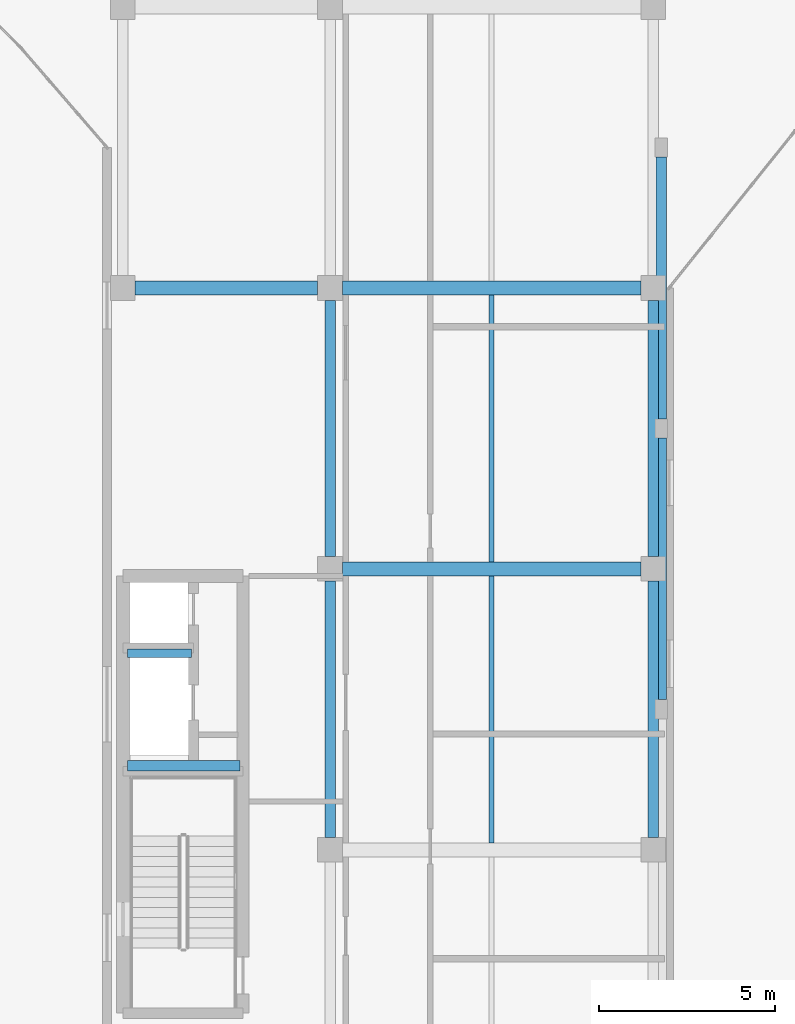
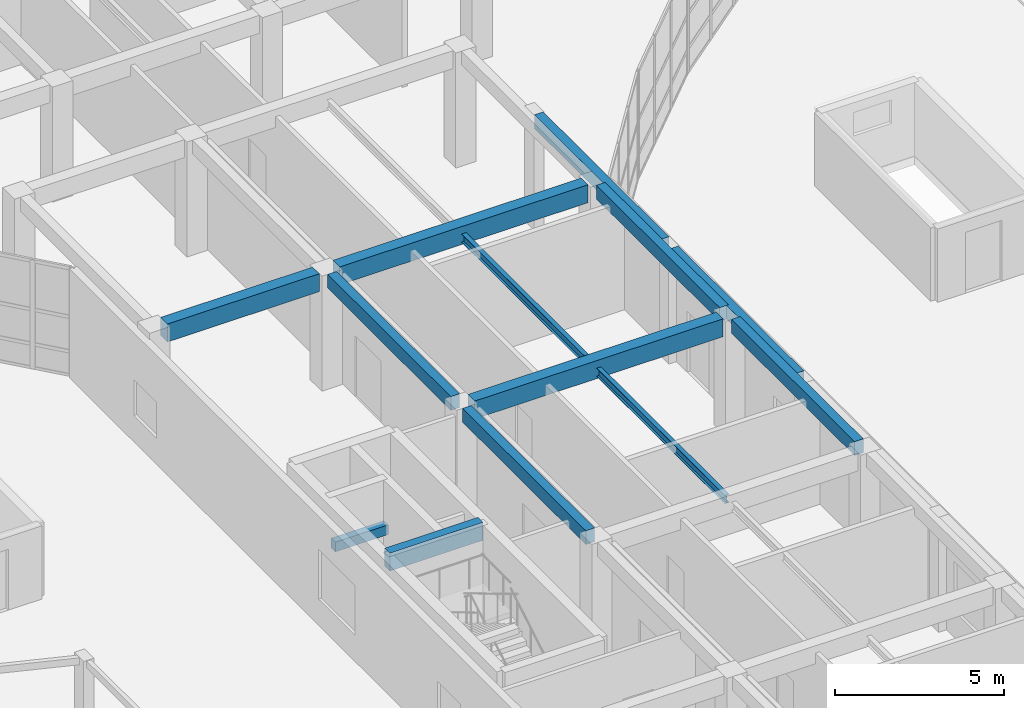
# One storey, part 35 of 114: 13 beams.
"""IFC4 building model written with IfcOpenShell, lengths in metres."""

from ifc_helpers import new_model, si_unit, direction, frame, origin, origin_2d, place, context, subcontext, project, spatial, rectangle, i_section, extrude, material, material_profile, profile_set, type_object, element, save


model = new_model("IFC4")

# Units and contexts
model_context = context("Model", 3, precision=1e-05, world=origin(), true_north=direction((0.0, 1.0)))
body_context = subcontext(model_context, "Body", "Model", "MODEL_VIEW")
ifc_project = project(units=[si_unit("LENGTHUNIT", "METRE"), si_unit("AREAUNIT", "SQUARE_METRE"), si_unit("VOLUMEUNIT", "CUBIC_METRE"), si_unit("PLANEANGLEUNIT", "RADIAN"), si_unit("MASSUNIT", "GRAM", prefix="KILO")], contexts=[model_context])

# Site, building, storey
site_placement = place(None, origin())
site = spatial("IfcSite", under=ifc_project, at=site_placement, CompositionType="ELEMENT")
building_placement = place(site_placement, origin())
building = spatial("IfcBuilding", under=site, at=building_placement, Name="Keldmere Railside Commons", CompositionType="ELEMENT")
storey_placement = place(building_placement, origin())
storey = spatial("IfcBuildingStorey", under=building, at=storey_placement, Name="L00", CompositionType="ELEMENT", Elevation=0.0)

# Beams
ifc_material_1 = material(Name="Concrete H-35 (C35/45)", Category="concrete")
ifc_material_profile_1 = material_profile(ifc_material_1, rectangle(XDim=0.300048828125, YDim=0.64990234375, at=origin_2d()), Name="RC-300x650")
ifc_profile_set_1 = profile_set([ifc_material_profile_1], Name="Concrete H-35 (C35/45)")
beam_type_1 = type_object("IfcBeamType", Name="Core Coupling RC Beam 300x650", PredefinedType="BEAM", material=ifc_profile_set_1)
beam_1_placement = place(storey_placement, frame((104.590087890625, 74.39990234375, 3.8349609375), z_axis=(1.0, 0.0, 0.0), x_axis=(0.0, 1.0, 0.0)))
element("IfcBeam", 1, at=beam_1_placement, inside=storey, type_object=beam_type_1, Name="CB-1 BM-L00-2555", PredefinedType="BEAM", context=body_context, shape_type="SweptSolid", body=[
    extrude(rectangle(XDim=0.300048828125, YDim=0.64990234375, at=origin_2d()), origin(), (0.0, 0.0, 1.0), 3.18994140625),
])
ifc_material_2 = material(Name="Concrete H-30 (C30/37)", Category="concrete")
ifc_material_profile_2 = material_profile(ifc_material_2, rectangle(XDim=0.25, YDim=0.35009765625, at=origin_2d()), Name="RC-250x350")
ifc_profile_set_2 = profile_set([ifc_material_profile_2], Name="Concrete H-30 (C30/37)")
beam_type_2 = type_object("IfcBeamType", Name="Masonry Opening RC Lintel 250x350", PredefinedType="LINTEL", material=ifc_profile_set_2)
beam_2_placement = place(storey_placement, frame((104.590087890625, 77.60009765625, 2.425048828125), z_axis=(1.0, 0.0, 0.0), x_axis=(0.0, 1.0, 0.0)))
element("IfcBeam", 2, at=beam_2_placement, inside=storey, type_object=beam_type_2, Name="LNT-1 BM-L00-2556", PredefinedType="LINTEL", context=body_context, shape_type="SweptSolid", body=[
    extrude(rectangle(XDim=0.25, YDim=0.35009765625, at=origin_2d()), origin(), (0.0, 0.0, 1.0), 1.809814453125),
])
ifc_material_3 = material(Name="Steel F-36 (S355)", Category="steel")
ifc_material_profile_3 = material_profile(ifc_material_3, i_section(OverallWidth=0.14990234375, OverallDepth=0.300048828125, WebThickness=0.007080078125, FlangeThickness=0.0107421875, at=origin_2d()), Name="IPE-300")
ifc_profile_set_3 = profile_set([ifc_material_profile_3], Name="Steel F-36 (S355)")
beam_type_3 = type_object("IfcBeamType", Name="Podium & Arcade Steel Joist IPE300", PredefinedType="JOIST", material=ifc_profile_set_3)
for number, where, z_axis, x_axis, name in (
    (3, (114.949951171875, 72.199951171875, 3.739990234375), (0.0, 1.0, 0.0), (-1.0, 0.0, 0.0), "JST-1 BM-L00-0704"),
    (4, (114.949951171875, 80.199951171875, 3.739990234375), (0.0, 1.0, 0.0), (-1.0, 0.0, 0.0), "JST-1 BM-L00-0707"),
):
    element("IfcBeam", number, at=place(storey_placement, frame(where, z_axis=z_axis, x_axis=x_axis)), inside=storey, type_object=beam_type_3, Name=name, PredefinedType="JOIST", context=body_context, shape_type="SweptSolid", body=[
        extrude(i_section(OverallWidth=0.14990234375, OverallDepth=0.300048828125, WebThickness=0.007080078125, FlangeThickness=0.0107421875, at=origin_2d()), origin(), (0.0, 0.0, 1.0), 7.60009765625),
    ])
ifc_material_profile_4 = material_profile(ifc_material_2, rectangle(XDim=0.39990234375, YDim=0.64990234375, at=origin_2d()), Name="RC-400x650")
ifc_profile_set_4 = profile_set([ifc_material_profile_4], Name="Concrete H-30 (C30/37)")
beam_type_4 = type_object("IfcBeamType", Name="Residential Spine RC Girder 400x650", PredefinedType="BEAM", material=ifc_profile_set_4)
beam_3_placement = place(storey_placement, frame((110.699951171875, 80.0, 3.8349609375), z_axis=(1.0, 0.0, 0.0), x_axis=(0.0, 1.0, 0.0)))
element("IfcBeam", 5, at=beam_3_placement, inside=storey, type_object=beam_type_4, Name="BG-3 BM-L00-0481", PredefinedType="BEAM", context=body_context, shape_type="SweptSolid", body=[
    extrude(rectangle(XDim=0.39990234375, YDim=0.64990234375, at=origin_2d()), origin(), (0.0, 0.0, 1.0), 8.5),
])
beam_4_placement = place(storey_placement, frame((104.800048828125, 88.0, 3.8349609375), z_axis=(1.0, 0.0, 0.0), x_axis=(0.0, 1.0, 0.0)))
element("IfcBeam", 6, at=beam_4_placement, inside=storey, type_object=beam_type_4, Name="BG-3 BM-L00-0487", PredefinedType="BEAM", context=body_context, shape_type="SweptSolid", body=[
    extrude(rectangle(XDim=0.39990234375, YDim=0.64990234375, at=origin_2d()), origin(), (0.0, 0.0, 1.0), 5.199951171875),
])
beam_5_placement = place(storey_placement, frame((110.699951171875, 88.0, 3.8349609375), z_axis=(1.0, 0.0, 0.0), x_axis=(0.0, 1.0, 0.0)))
element("IfcBeam", 7, at=beam_5_placement, inside=storey, type_object=beam_type_4, Name="BG-3 BM-L00-0488", PredefinedType="BEAM", context=body_context, shape_type="SweptSolid", body=[
    extrude(rectangle(XDim=0.39990234375, YDim=0.64990234375, at=origin_2d()), origin(), (0.0, 0.0, 1.0), 8.5),
])
ifc_material_profile_5 = material_profile(ifc_material_2, rectangle(XDim=0.300048828125, YDim=0.5, at=origin_2d()), Name="RC-300x500")
ifc_profile_set_5 = profile_set([ifc_material_profile_5], Name="Concrete H-30 (C30/37)")
beam_type_5 = type_object("IfcBeamType", Name="Secondary Frame RC Beam 300x500", PredefinedType="BEAM", material=ifc_profile_set_5)
for number, where, z_axis, x_axis, name in (
    (8, (110.35009765625, 72.35009765625, 3.909912109375), (0.0, 1.0, 0.0), (-1.0, 0.0, 0.0), "BG-5 BM-L00-0616"),
    (9, (110.35009765625, 80.35009765625, 3.909912109375), (0.0, 1.0, 0.0), (-1.0, 0.0, 0.0), "BG-5 BM-L00-0617"),
    (10, (119.550048828125, 72.35009765625, 3.909912109375), (0.0, 1.0, 0.0), (-1.0, 0.0, 0.0), "BG-5 BM-L00-0623"),
    (11, (119.550048828125, 80.35009765625, 3.909912109375), (0.0, 1.0, 0.0), (-1.0, 0.0, 0.0), "BG-5 BM-L00-0624"),
):
    element("IfcBeam", number, at=place(storey_placement, frame(where, z_axis=z_axis, x_axis=x_axis)), inside=storey, type_object=beam_type_5, Name=name, PredefinedType="BEAM", context=body_context, shape_type="SweptSolid", body=[
        extrude(rectangle(XDim=0.300048828125, YDim=0.5, at=origin_2d()), origin(), (0.0, 0.0, 1.0), 7.2998046875),
    ])
for number, where, z_axis, x_axis, name in (
    (12, (119.780029296875, 76.27490234375, 3.909912109375), (0.0, 1.0, 0.0), (-1.0, 0.0, 0.0), "BG-5 BM-L00-0628"),
    (13, (119.780029296875, 84.27490234375, 3.909912109375), (0.0, 1.0, 0.0), (-1.0, 0.0, 0.0), "BG-5 BM-L00-0629"),
):
    element("IfcBeam", number, at=place(storey_placement, frame(where, z_axis=z_axis, x_axis=x_axis)), inside=storey, type_object=beam_type_5, Name=name, PredefinedType="BEAM", context=body_context, shape_type="SweptSolid", body=[
        extrude(rectangle(XDim=0.300048828125, YDim=0.5, at=origin_2d()), origin(), (0.0, 0.0, 1.0), 7.4501953125),
    ])

save(model, "model.ifc")
